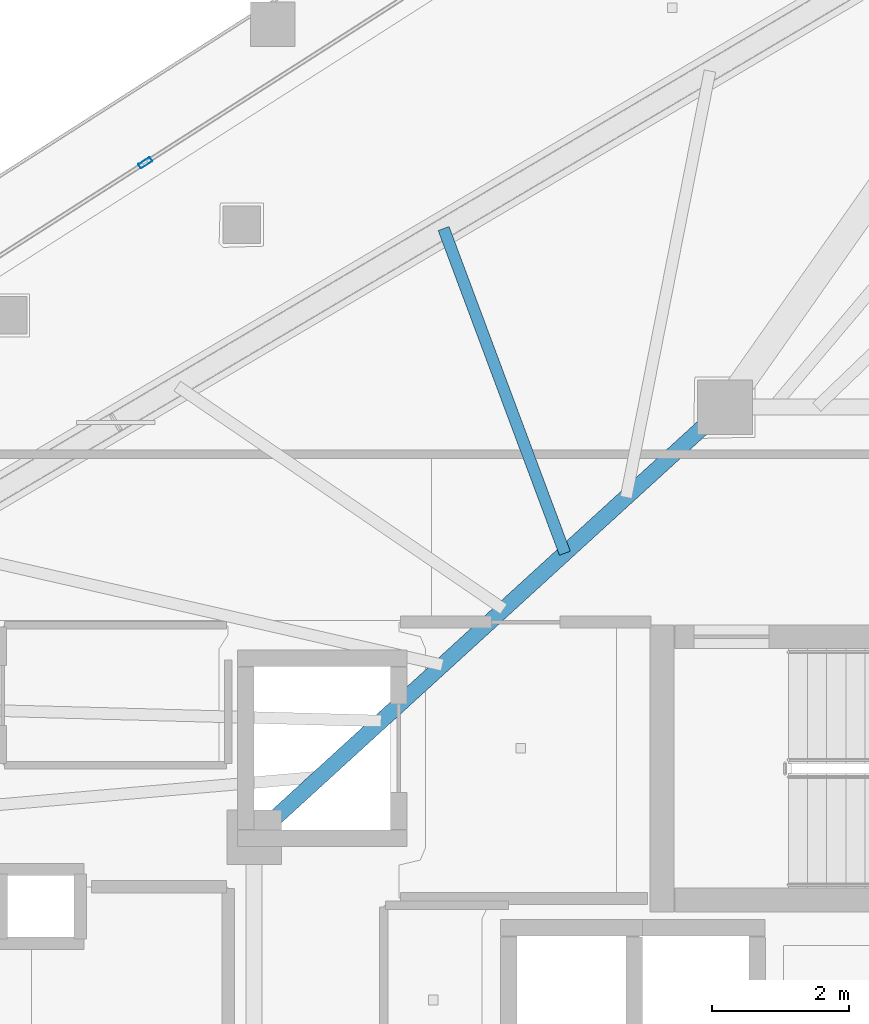
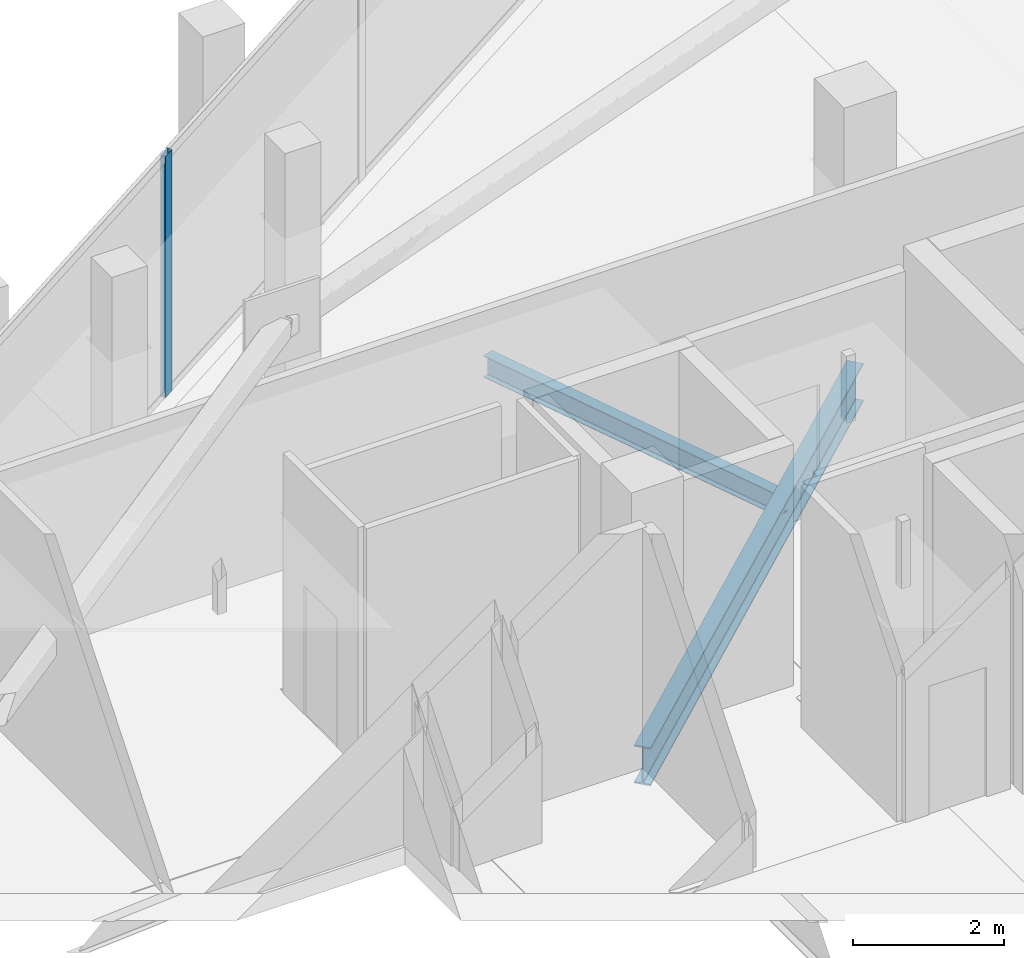
# One storey, part 17 of 34: 2 beams, 1 member, 1 element without a shape of its own.
"""IFC4 building model written with IfcOpenShell, lengths in metres."""

from ifc_helpers import new_model, si_unit, direction, frame, origin, origin_2d, place, context, subcontext, project, spatial, hollow_rectangle, i_section, extrude, material, layer, layer_set, material_profile, profile_set, type_object, element, aggregate, save


model = new_model("IFC4")

# Units and contexts
model_context = context("Model", 3, precision=1e-05, world=origin(), true_north=direction((0.0, 1.0)))
body_context = subcontext(model_context, "Body", "Model", "MODEL_VIEW")
ifc_project = project(units=[si_unit("LENGTHUNIT", "METRE"), si_unit("AREAUNIT", "SQUARE_METRE"), si_unit("VOLUMEUNIT", "CUBIC_METRE"), si_unit("PLANEANGLEUNIT", "RADIAN"), si_unit("MASSUNIT", "GRAM", prefix="KILO")], contexts=[model_context])

# Site, building, storey
site_placement = place(None, origin())
site = spatial("IfcSite", under=ifc_project, at=site_placement, CompositionType="ELEMENT")
building_placement = place(site_placement, origin())
building = spatial("IfcBuilding", under=site, at=building_placement, Name="Qorvath Tower", CompositionType="ELEMENT")
storey_placement = place(building_placement, frame((0.0, 0.0, 276.60009765625)))
storey = spatial("IfcBuildingStorey", under=building, at=storey_placement, Name="L64", CompositionType="ELEMENT", Elevation=276.60009765625)

# Beams
ifc_material_1 = material(Name="Steel ASTM A992 Grade 50", Category="steel")
ifc_material_profile_1 = material_profile(ifc_material_1, i_section(OverallWidth=0.22998046875, OverallDepth=0.616943359375, WebThickness=0.01318359375, FlangeThickness=0.022216796875, FilletRadius=0.014892578125, at=origin_2d()), Name="W24x94")
ifc_profile_set_1 = profile_set([ifc_material_profile_1], Name="Steel ASTM A992 Grade 50")
beam_type_1 = type_object("IfcBeamType", Name="BM-FG6", PredefinedType="BEAM", material=ifc_profile_set_1)
beam_1_placement = place(storey_placement, frame((-30.5, 5.14990234375, -0.598388671875), z_axis=(0.73847813985, 0.6742774184, 0.0), x_axis=(-0.6742774184, 0.73847813985, 0.0)))
element("IfcBeam", 1, at=beam_1_placement, inside=storey, type_object=beam_type_1, Name="Core Ring Girder CC5-CC1 L64", PredefinedType="BEAM", context=body_context, shape_type="SweptSolid", body=[
    extrude(i_section(OverallWidth=0.22998046875, OverallDepth=0.616943359375, WebThickness=0.01318359375, FlangeThickness=0.022216796875, FilletRadius=0.014892578125, at=origin_2d()), origin(), (0.0, 0.0, 1.0), 9.343505859375),
])
ifc_material_2 = material(Name="Steel ASTM A992 Grade 50", Category="steel")
ifc_material_profile_2 = material_profile(ifc_material_2, i_section(OverallWidth=0.1708984375, OverallDepth=0.35107421875, WebThickness=0.0068359375, FlangeThickness=0.009765625, FilletRadius=0.010009765625, at=origin_2d()), Name="W14x30")
ifc_profile_set_2 = profile_set([ifc_material_profile_2], Name="Steel ASTM A992 Grade 50")
beam_type_2 = type_object("IfcBeamType", Name="BM-FJ4", PredefinedType="JOIST", material=ifc_profile_set_2)
beam_2_placement = place(storey_placement, frame((-25.946044921875, 9.30810546875, -0.465576171875), z_axis=(-0.349858795354, 0.936802446257, 0.0), x_axis=(-0.936802446257, -0.349858795354, 0.0)))
element("IfcBeam", 2, at=beam_2_placement, inside=storey, type_object=beam_type_2, Name="Composite Floor Joist NW5 L64", PredefinedType="JOIST", context=body_context, shape_type="SweptSolid", body=[
    extrude(i_section(OverallWidth=0.1708984375, OverallDepth=0.35107421875, WebThickness=0.0068359375, FlangeThickness=0.009765625, FilletRadius=0.010009765625, at=origin_2d()), origin(), (0.0, 0.0, 1.0), 5.078857421875),
])

# Curtain wall, member
ifc_material_3 = material(Name="Anodised aluminium and triple low-E glass", Category="aluminium")
ifc_layer = layer(ifc_material_3, 0.179931640625)
ifc_layer_set = layer_set([ifc_layer], Name="CW-SYS-4")
curtain_wall_type = type_object("IfcCurtainWallType", Name="CW-SYS-4", PredefinedType="NOTDEFINED", material=ifc_layer_set)
curtain_wall_placement = place(storey_placement, origin())
curtain_wall = element("IfcCurtainWall", 3, at=curtain_wall_placement, inside=storey, type_object=curtain_wall_type, Name="Curtain Wall CW-4 CW-T-L64-16.1", PredefinedType="NOTDEFINED")
ifc_material_4 = material(Name="Anodised aluminium 6063-T6", Category="aluminium")
ifc_material_profile_3 = material_profile(ifc_material_4, hollow_rectangle(XDim=0.074951171875, YDim=0.199951171875, WallThickness=0.00390625, InnerFilletRadius=0.00390625, OuterFilletRadius=0.008056640625, at=origin_2d()), Name="CWM 200x75")
ifc_profile_set_3 = profile_set([ifc_material_profile_3], Name="Anodised aluminium 6063-T6")
member_type = type_object("IfcMemberType", Name="CWM-200", PredefinedType="MULLION", material=ifc_profile_set_3)
member_placement = place(storey_placement, frame((-32.093505859375, 15.029541015625, 0.0), z_axis=(0.0, 0.0, 1.0), x_axis=(0.538533509281, -0.842604094093, 0.0)))
member = element("IfcMember", 4, at=member_placement, type_object=member_type, Name="CW-4 mullion 4", PredefinedType="MULLION", context=body_context, shape_type="SweptSolid", body=[
    extrude(hollow_rectangle(XDim=0.074951171875, YDim=0.199951171875, WallThickness=0.00390625, InnerFilletRadius=0.00390625, OuterFilletRadius=0.008056640625, at=origin_2d()), origin(), (0.0, 0.0, 1.0), 3.909912109375),
])
aggregate(curtain_wall, [member])

save(model, "model.ifc")
